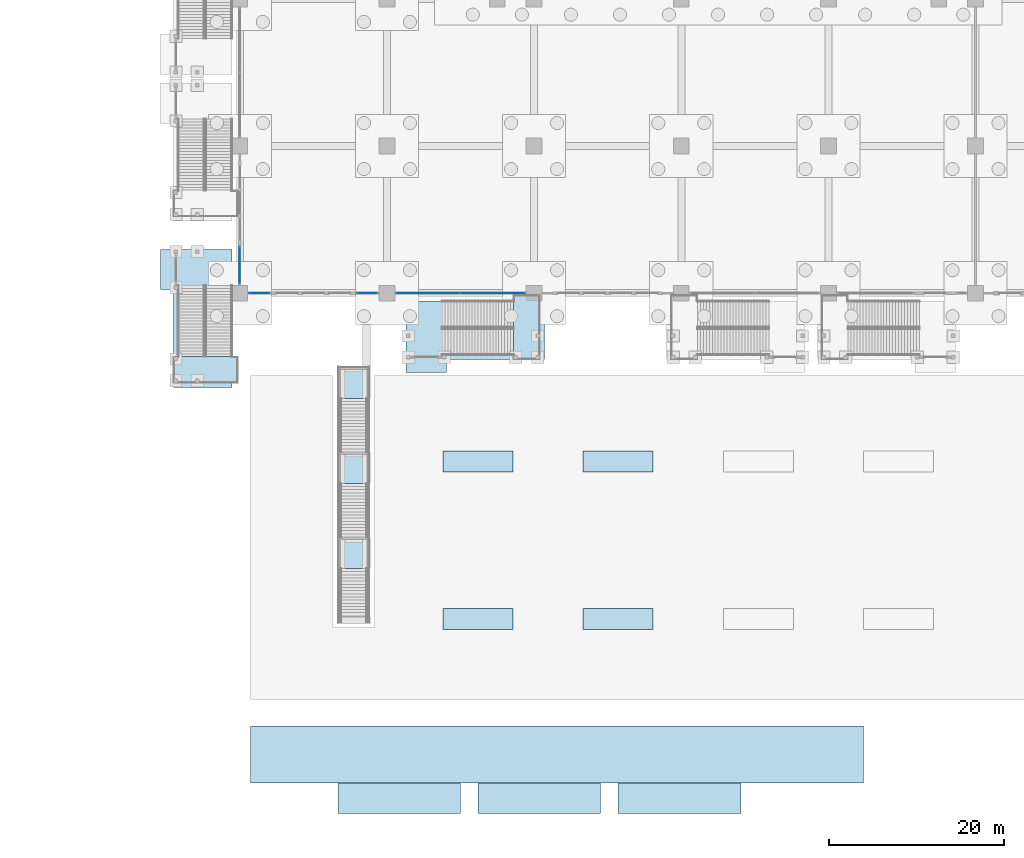
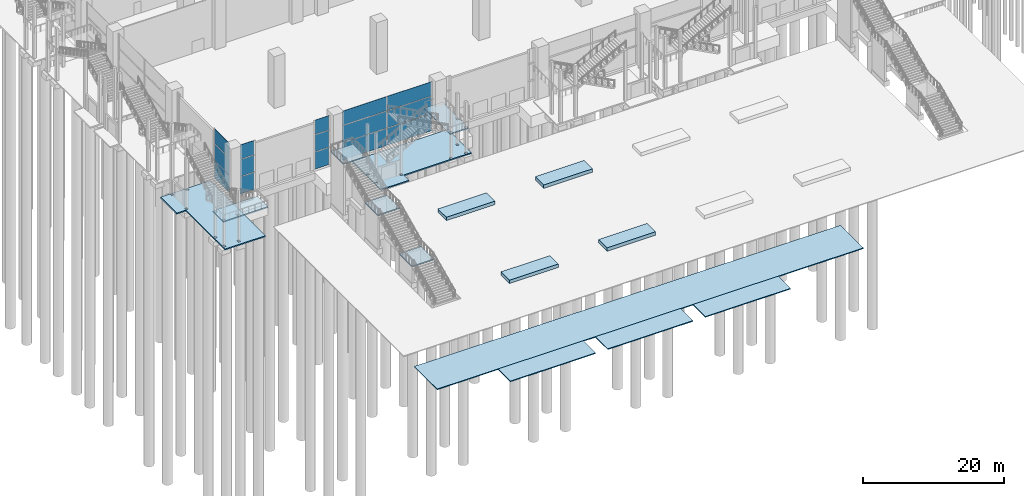
# One storey, part 30 of 72: 15 plates, 15 slabs, 7 elements without a shape of their own.
"""IFC4 building model written with IfcOpenShell, lengths in metres."""

from ifc_helpers import new_model, si_unit, direction, frame, origin, origin_2d, place, context, subcontext, project, spatial, polyline, rectangle, outline, extrude, material, layer, layer_set, type_object, element, aggregate, save


model = new_model("IFC4")

# Units and contexts
model_context = context("Model", 3, precision=1e-05, world=origin(), true_north=direction((0.0, 1.0)))
body_context = subcontext(model_context, "Body", "Model", "MODEL_VIEW")
ifc_project = project(units=[si_unit("LENGTHUNIT", "METRE"), si_unit("AREAUNIT", "SQUARE_METRE"), si_unit("VOLUMEUNIT", "CUBIC_METRE"), si_unit("PLANEANGLEUNIT", "RADIAN"), si_unit("MASSUNIT", "GRAM", prefix="KILO")], contexts=[model_context])

# Site, building, storey
site_placement = place(None, origin())
site = spatial("IfcSite", under=ifc_project, at=site_placement, CompositionType="ELEMENT")
building_placement = place(site_placement, origin())
building = spatial("IfcBuilding", under=site, at=building_placement, Name="Candeia Pilgrim Tower and Theatre", CompositionType="ELEMENT")
storey_placement = place(building_placement, origin())
storey = spatial("IfcBuildingStorey", under=building, at=storey_placement, Name="L00", CompositionType="ELEMENT", Elevation=0.0)

# Curtain wall, plates
ifc_material_1 = material(Name="Aluminium framed podium glazing", Category="aluminium")
curtain_wall_type = type_object("IfcCurtainWallType", Name="CW-P curtain wall", PredefinedType="NOTDEFINED", material=ifc_material_1)
curtain_wall_1_placement = place(storey_placement, origin())
curtain_wall_1 = element("IfcCurtainWall", 1, at=curtain_wall_1_placement, inside=storey, type_object=curtain_wall_type, Name="Curtain wall CW-P L00.000", PredefinedType="NOTDEFINED")
ifc_material_2 = material(Name="Laminated low-iron glass 2 x 8 mm", Category="glass")
ifc_layer_1 = layer(ifc_material_2, 0.035888671875)
ifc_layer_set_1 = layer_set([ifc_layer_1], Name="CW-P glass panel 36")
plate_type = type_object("IfcPlateType", Name="CW-P glass panel 36", PredefinedType="CURTAIN_PANEL", material=ifc_layer_set_1)
plate_1_placement = place(storey_placement, frame((58.800048828125, 67.60009765625, 0.0), z_axis=(0.0, 0.0, 1.0), x_axis=(0.0, 1.0, 0.0)))
plate_1 = element("IfcPlate", 2, at=plate_1_placement, type_object=plate_type, Name="CW-P panel 1.1", PredefinedType="CURTAIN_PANEL", context=body_context, shape_type="SweptSolid", body=[
    extrude(rectangle(XDim=4.219970703125, YDim=0.035888671875, at=origin_2d()), origin(), (0.0, 0.0, 1.0), 2.9599609375),
])
plate_2_placement = place(storey_placement, frame((58.800048828125, 67.60009765625, 3.0400390625), z_axis=(0.0, 0.0, 1.0), x_axis=(0.0, 1.0, 0.0)))
plate_2 = element("IfcPlate", 3, at=plate_2_placement, type_object=plate_type, Name="CW-P panel 1.2", PredefinedType="CURTAIN_PANEL", context=body_context, shape_type="SweptSolid", body=[
    extrude(rectangle(XDim=4.219970703125, YDim=0.035888671875, at=origin_2d()), origin(), (0.0, 0.0, 1.0), 2.919921875),
])
plate_3_placement = place(storey_placement, frame((58.800048828125, 67.60009765625, 6.0400390625), z_axis=(0.0, 0.0, 1.0), x_axis=(0.0, 1.0, 0.0)))
plate_3 = element("IfcPlate", 4, at=plate_3_placement, type_object=plate_type, Name="CW-P panel 1.3", PredefinedType="CURTAIN_PANEL", context=body_context, shape_type="SweptSolid", body=[
    extrude(rectangle(XDim=4.219970703125, YDim=0.035888671875, at=origin_2d()), origin(), (0.0, 0.0, 1.0), 2.4599609375),
])
aggregate(curtain_wall_1, [plate_1, plate_2, plate_3])

curtain_wall_2_placement = place(storey_placement, origin())
curtain_wall_2 = element("IfcCurtainWall", 5, at=curtain_wall_2_placement, inside=storey, type_object=curtain_wall_type, Name="Curtain wall CW-P L00.340", PredefinedType="NOTDEFINED")
plate_4_placement = place(storey_placement, frame((87.675048828125, 64.39990234375, 0.0), z_axis=(0.0, 0.0, 1.0), x_axis=(-1.0, 0.0, 0.0)))
plate_4 = element("IfcPlate", 6, at=plate_4_placement, type_object=plate_type, Name="CW-P panel 1.1", PredefinedType="CURTAIN_PANEL", context=body_context, shape_type="SweptSolid", body=[
    extrude(rectangle(XDim=7.27001953125, YDim=0.035888671875, at=origin_2d()), origin(), (0.0, 0.0, 1.0), 2.9599609375),
])
plate_5_placement = place(storey_placement, frame((87.675048828125, 64.39990234375, 3.0400390625), z_axis=(0.0, 0.0, 1.0), x_axis=(-1.0, 0.0, 0.0)))
plate_5 = element("IfcPlate", 7, at=plate_5_placement, type_object=plate_type, Name="CW-P panel 1.2", PredefinedType="CURTAIN_PANEL", context=body_context, shape_type="SweptSolid", body=[
    extrude(rectangle(XDim=7.27001953125, YDim=0.035888671875, at=origin_2d()), origin(), (0.0, 0.0, 1.0), 2.919921875),
])
plate_6_placement = place(storey_placement, frame((87.675048828125, 64.39990234375, 6.0400390625), z_axis=(0.0, 0.0, 1.0), x_axis=(-1.0, 0.0, 0.0)))
plate_6 = element("IfcPlate", 8, at=plate_6_placement, type_object=plate_type, Name="CW-P panel 1.3", PredefinedType="CURTAIN_PANEL", context=body_context, shape_type="SweptSolid", body=[
    extrude(rectangle(XDim=7.27001953125, YDim=0.035888671875, at=origin_2d()), origin(), (0.0, 0.0, 1.0), 2.4599609375),
])
plate_7_placement = place(storey_placement, frame((80.324951171875, 64.39990234375, 0.0), z_axis=(0.0, 0.0, 1.0), x_axis=(-1.0, 0.0, 0.0)))
plate_7 = element("IfcPlate", 9, at=plate_7_placement, type_object=plate_type, Name="CW-P panel 2.1", PredefinedType="CURTAIN_PANEL", context=body_context, shape_type="SweptSolid", body=[
    extrude(rectangle(XDim=7.27001953125, YDim=0.035888671875, at=origin_2d()), origin(), (0.0, 0.0, 1.0), 2.9599609375),
])
plate_8_placement = place(storey_placement, frame((80.324951171875, 64.39990234375, 3.0400390625), z_axis=(0.0, 0.0, 1.0), x_axis=(-1.0, 0.0, 0.0)))
plate_8 = element("IfcPlate", 10, at=plate_8_placement, type_object=plate_type, Name="CW-P panel 2.2", PredefinedType="CURTAIN_PANEL", context=body_context, shape_type="SweptSolid", body=[
    extrude(rectangle(XDim=7.27001953125, YDim=0.035888671875, at=origin_2d()), origin(), (0.0, 0.0, 1.0), 2.919921875),
])
plate_9_placement = place(storey_placement, frame((80.324951171875, 64.39990234375, 6.0400390625), z_axis=(0.0, 0.0, 1.0), x_axis=(-1.0, 0.0, 0.0)))
plate_9 = element("IfcPlate", 11, at=plate_9_placement, type_object=plate_type, Name="CW-P panel 2.3", PredefinedType="CURTAIN_PANEL", context=body_context, shape_type="SweptSolid", body=[
    extrude(rectangle(XDim=7.27001953125, YDim=0.035888671875, at=origin_2d()), origin(), (0.0, 0.0, 1.0), 2.4599609375),
])
aggregate(curtain_wall_2, [plate_4, plate_5, plate_6, plate_7, plate_8, plate_9])

curtain_wall_3_placement = place(storey_placement, origin())
curtain_wall_3 = element("IfcCurtainWall", 12, at=curtain_wall_3_placement, inside=storey, type_object=curtain_wall_type, Name="Curtain wall CW-P L00.350", PredefinedType="NOTDEFINED")
plate_10_placement = place(storey_placement, frame((73.35009765625, 64.39990234375, 0.0), z_axis=(0.0, 0.0, 1.0), x_axis=(-1.0, 0.0, 0.0)))
plate_10 = element("IfcPlate", 13, at=plate_10_placement, type_object=plate_type, Name="CW-P panel 1.1", PredefinedType="CURTAIN_PANEL", context=body_context, shape_type="SweptSolid", body=[
    extrude(rectangle(XDim=2.320068359375, YDim=0.035888671875, at=origin_2d()), origin(), (0.0, 0.0, 1.0), 2.9599609375),
])
plate_11_placement = place(storey_placement, frame((73.35009765625, 64.39990234375, 3.0400390625), z_axis=(0.0, 0.0, 1.0), x_axis=(-1.0, 0.0, 0.0)))
plate_11 = element("IfcPlate", 14, at=plate_11_placement, type_object=plate_type, Name="CW-P panel 1.2", PredefinedType="CURTAIN_PANEL", context=body_context, shape_type="SweptSolid", body=[
    extrude(rectangle(XDim=2.320068359375, YDim=0.035888671875, at=origin_2d()), origin(), (0.0, 0.0, 1.0), 2.919921875),
])
plate_12_placement = place(storey_placement, frame((73.35009765625, 64.39990234375, 6.0400390625), z_axis=(0.0, 0.0, 1.0), x_axis=(-1.0, 0.0, 0.0)))
plate_12 = element("IfcPlate", 15, at=plate_12_placement, type_object=plate_type, Name="CW-P panel 1.3", PredefinedType="CURTAIN_PANEL", context=body_context, shape_type="SweptSolid", body=[
    extrude(rectangle(XDim=2.320068359375, YDim=0.035888671875, at=origin_2d()), origin(), (0.0, 0.0, 1.0), 2.4599609375),
])
aggregate(curtain_wall_3, [plate_10, plate_11, plate_12])

curtain_wall_4_placement = place(storey_placement, origin())
curtain_wall_4 = element("IfcCurtainWall", 16, at=curtain_wall_4_placement, inside=storey, type_object=curtain_wall_type, Name="Curtain wall CW-P L00.351", PredefinedType="NOTDEFINED")
plate_13_placement = place(storey_placement, frame((61.050048828125, 64.39990234375, 0.0), z_axis=(0.0, 0.0, 1.0), x_axis=(-1.0, 0.0, 0.0)))
plate_13 = element("IfcPlate", 17, at=plate_13_placement, type_object=plate_type, Name="CW-P panel 1.1", PredefinedType="CURTAIN_PANEL", context=body_context, shape_type="SweptSolid", body=[
    extrude(rectangle(XDim=2.320068359375, YDim=0.035888671875, at=origin_2d()), origin(), (0.0, 0.0, 1.0), 2.9599609375),
])
plate_14_placement = place(storey_placement, frame((61.050048828125, 64.39990234375, 3.0400390625), z_axis=(0.0, 0.0, 1.0), x_axis=(-1.0, 0.0, 0.0)))
plate_14 = element("IfcPlate", 18, at=plate_14_placement, type_object=plate_type, Name="CW-P panel 1.2", PredefinedType="CURTAIN_PANEL", context=body_context, shape_type="SweptSolid", body=[
    extrude(rectangle(XDim=2.320068359375, YDim=0.035888671875, at=origin_2d()), origin(), (0.0, 0.0, 1.0), 2.919921875),
])
plate_15_placement = place(storey_placement, frame((61.050048828125, 64.39990234375, 6.0400390625), z_axis=(0.0, 0.0, 1.0), x_axis=(-1.0, 0.0, 0.0)))
plate_15 = element("IfcPlate", 19, at=plate_15_placement, type_object=plate_type, Name="CW-P panel 1.3", PredefinedType="CURTAIN_PANEL", context=body_context, shape_type="SweptSolid", body=[
    extrude(rectangle(XDim=2.320068359375, YDim=0.035888671875, at=origin_2d()), origin(), (0.0, 0.0, 1.0), 2.4599609375),
])
aggregate(curtain_wall_4, [plate_13, plate_14, plate_15])

# Stair, slabs
ifc_material_3 = material(Name="Concrete C35/45", Category="concrete")
stair_type_1 = type_object("IfcStairType", Name="Garden stair", PredefinedType="STRAIGHT_RUN_STAIR", material=ifc_material_3)
stair_1_placement = place(storey_placement, origin())
stair_1 = element("IfcStair", 20, at=stair_1_placement, inside=storey, type_object=stair_type_1, Name="Garden stair W", PredefinedType="STRAIGHT_RUN_STAIR")
ifc_layer_2 = layer(ifc_material_3, 0.199951171875)
ifc_layer_set_2 = layer_set([ifc_layer_2], Name="Garden stair landing 200")
slab_type_1 = type_object("IfcSlabType", Name="Garden stair landing 200", PredefinedType="LANDING", material=ifc_layer_set_2)
slab_1_placement = place(storey_placement, frame((0.0, 0.0, 2.800048828125)))
slab_1 = element("IfcSlab", 21, at=slab_1_placement, type_object=slab_type_1, Name="GS1 landing 1", PredefinedType="LANDING", context=body_context, shape_type="SweptSolid", body=[
    extrude(outline(polyline([(70.0, 32.9599609375), (73.60009765625, 32.9599609375), (73.60009765625, 36.56005859375), (70.0, 36.56005859375), (70.0, 32.9599609375)])), origin(), (0.0, 0.0, 1.0), 0.199951171875),
])
slab_2_placement = place(storey_placement, frame((0.0, 0.0, 5.800048828125)))
slab_2 = element("IfcSlab", 22, at=slab_2_placement, type_object=slab_type_1, Name="GS1 landing 2", PredefinedType="LANDING", context=body_context, shape_type="SweptSolid", body=[
    extrude(outline(polyline([(70.0, 42.679931640625), (73.60009765625, 42.679931640625), (73.60009765625, 46.280029296875), (70.0, 46.280029296875), (70.0, 42.679931640625)])), origin(), (0.0, 0.0, 1.0), 0.199951171875),
])
slab_3_placement = place(storey_placement, frame((0.0, 0.0, 8.800048828125)))
slab_3 = element("IfcSlab", 23, at=slab_3_placement, type_object=slab_type_1, Name="GS1 landing 3", PredefinedType="LANDING", context=body_context, shape_type="SweptSolid", body=[
    extrude(outline(polyline([(70.0, 52.39990234375), (73.60009765625, 52.39990234375), (73.60009765625, 56.0), (70.0, 56.0), (70.0, 52.39990234375)])), origin(), (0.0, 0.0, 1.0), 0.199951171875),
])
aggregate(stair_1, [slab_1, slab_2, slab_3])

# Slabs
ifc_layer_3 = layer(ifc_material_3, 0.14990234375)
ifc_layer_set_3 = layer_set([ifc_layer_3], Name="Planter")
slab_type_2 = type_object("IfcSlabType", Name="Planter", PredefinedType="FLOOR", material=ifc_layer_set_3)
slab_4_placement = place(storey_placement, origin())
element("IfcSlab", 24, at=slab_4_placement, inside=storey, type_object=slab_type_2, Name="PLANTER 1", PredefinedType="FLOOR", context=body_context, shape_type="SweptSolid", body=[
    extrude(outline(polyline([(82.0, 26.0), (90.0, 26.0), (90.0, 28.39990234375), (82.0, 28.39990234375), (82.0, 26.0)])), origin(), (0.0, 0.0, 1.0), 0.60009765625),
])
slab_5_placement = place(storey_placement, origin())
element("IfcSlab", 25, at=slab_5_placement, inside=storey, type_object=slab_type_2, Name="PLANTER 2", PredefinedType="FLOOR", context=body_context, shape_type="SweptSolid", body=[
    extrude(outline(polyline([(98.0, 26.0), (106.0, 26.0), (106.0, 28.39990234375), (98.0, 28.39990234375), (98.0, 26.0)])), origin(), (0.0, 0.0, 1.0), 0.60009765625),
])
slab_6_placement = place(storey_placement, origin())
element("IfcSlab", 26, at=slab_6_placement, inside=storey, type_object=slab_type_2, Name="PLANTER 5", PredefinedType="FLOOR", context=body_context, shape_type="SweptSolid", body=[
    extrude(outline(polyline([(82.0, 44.0), (90.0, 44.0), (90.0, 46.39990234375), (82.0, 46.39990234375), (82.0, 44.0)])), origin(), (0.0, 0.0, 1.0), 0.60009765625),
])
slab_7_placement = place(storey_placement, origin())
element("IfcSlab", 27, at=slab_7_placement, inside=storey, type_object=slab_type_2, Name="PLANTER 6", PredefinedType="FLOOR", context=body_context, shape_type="SweptSolid", body=[
    extrude(outline(polyline([(98.0, 44.0), (106.0, 44.0), (106.0, 46.39990234375), (98.0, 46.39990234375), (98.0, 44.0)])), origin(), (0.0, 0.0, 1.0), 0.60009765625),
])

# Stair, slab
ifc_material_4 = material(Name="Concrete C40/50", Category="concrete")
stair_type_2 = type_object("IfcStairType", Name="ST-EXT external escape stair", PredefinedType="HALF_TURN_STAIR", material=ifc_material_4)
stair_2_placement = place(storey_placement, origin())
stair_2 = element("IfcStair", 28, at=stair_2_placement, inside=storey, type_object=stair_type_2, Name="L00 External escape stair ES8", PredefinedType="HALF_TURN_STAIR")
ifc_layer_4 = layer(ifc_material_4, 0.199951171875)
ifc_layer_set_4 = layer_set([ifc_layer_4], Name="SL-EXT stair landing")
slab_type_3 = type_object("IfcSlabType", Name="SL-EXT stair landing", PredefinedType="LANDING", material=ifc_layer_set_4)
slab_8_placement = place(storey_placement, frame((0.0, 0.0, 4.300048828125)))
slab_8 = element("IfcSlab", 29, at=slab_8_placement, type_object=slab_type_3, Name="L00 External escape stair ES8 landing", PredefinedType="LANDING", context=body_context, shape_type="SweptSolid", body=[
    extrude(outline(polyline([(90.0400390625, 64.199951171875), (93.06005859375, 64.199951171875), (93.06005859375, 56.85009765625), (90.0400390625, 56.85009765625), (90.0400390625, 64.199951171875)]), holes=[polyline([(90.110107421875, 56.89990234375), (90.510009765625, 56.89990234375), (90.510009765625, 57.300048828125), (90.110107421875, 57.300048828125), (90.110107421875, 56.89990234375)]), polyline([(92.610107421875, 56.89990234375), (93.010009765625, 56.89990234375), (93.010009765625, 57.300048828125), (92.610107421875, 57.300048828125), (92.610107421875, 56.89990234375)]), polyline([(92.610107421875, 59.324951171875), (93.010009765625, 59.324951171875), (93.010009765625, 59.72509765625), (92.610107421875, 59.72509765625), (92.610107421875, 59.324951171875)])]), origin(), (0.0, 0.0, 1.0), 0.199951171875),
])
aggregate(stair_2, [slab_8])

stair_3_placement = place(storey_placement, origin())
stair_3 = element("IfcStair", 30, at=stair_3_placement, inside=storey, type_object=stair_type_2, Name="L00 External escape stair ES10", PredefinedType="HALF_TURN_STAIR")
slab_9_placement = place(storey_placement, frame((0.0, 0.0, 4.300048828125)))
slab_9 = element("IfcSlab", 31, at=slab_9_placement, type_object=slab_type_3, Name="L00 External escape stair ES10 landing", PredefinedType="LANDING", context=body_context, shape_type="SweptSolid", body=[
    extrude(outline(polyline([(58.60009765625, 57.159912109375), (58.60009765625, 54.139892578125), (51.25, 54.139892578125), (51.25, 57.159912109375), (58.60009765625, 57.159912109375)]), holes=[polyline([(51.300048828125, 56.68994140625), (51.699951171875, 56.68994140625), (51.699951171875, 57.090087890625), (51.300048828125, 57.090087890625), (51.300048828125, 56.68994140625)]), polyline([(51.300048828125, 54.18994140625), (51.699951171875, 54.18994140625), (51.699951171875, 54.590087890625), (51.300048828125, 54.590087890625), (51.300048828125, 54.18994140625)]), polyline([(53.72509765625, 54.18994140625), (54.125, 54.18994140625), (54.125, 54.590087890625), (53.72509765625, 54.590087890625), (53.72509765625, 54.18994140625)])]), origin(), (0.0, 0.0, 1.0), 0.199951171875),
])
aggregate(stair_3, [slab_9])

# Slabs
ifc_layer_5 = layer(ifc_material_3, 0.14990234375)
ifc_layer_set_5 = layer_set([ifc_layer_5], Name="Site paving slab 150")
slab_type_4 = type_object("IfcSlabType", Name="Site paving slab 150", PredefinedType="USERDEFINED", material=ifc_layer_set_5)
slab_10_placement = place(storey_placement, frame((0.0, 0.0, -0.14990234375)))
element("IfcSlab", 32, at=slab_10_placement, inside=storey, type_object=slab_type_4, Name="PAVING coach drive aisle", ObjectType="PAVING", PredefinedType="USERDEFINED", context=body_context, shape_type="SweptSolid", body=[
    extrude(outline(polyline([(130.0, 8.5), (130.0, 15.0), (60.0, 15.0), (60.0, 8.5), (130.0, 8.5)])), origin(), (0.0, 0.0, 1.0), 0.14990234375),
])
slab_11_placement = place(storey_placement, frame((0.0, 0.0, -0.14990234375)))
element("IfcSlab", 33, at=slab_11_placement, inside=storey, type_object=slab_type_4, Name="PAVING coach bay 1", ObjectType="PAVING", PredefinedType="USERDEFINED", context=body_context, shape_type="SweptSolid", body=[
    extrude(outline(polyline([(84.0, 5.0), (84.0, 8.5), (70.0, 8.5), (70.0, 5.0), (84.0, 5.0)])), origin(), (0.0, 0.0, 1.0), 0.14990234375),
])
slab_12_placement = place(storey_placement, frame((0.0, 0.0, -0.14990234375)))
element("IfcSlab", 34, at=slab_12_placement, inside=storey, type_object=slab_type_4, Name="PAVING coach bay 2", ObjectType="PAVING", PredefinedType="USERDEFINED", context=body_context, shape_type="SweptSolid", body=[
    extrude(outline(polyline([(100.0, 5.0), (100.0, 8.5), (86.0, 8.5), (86.0, 5.0), (100.0, 5.0)])), origin(), (0.0, 0.0, 1.0), 0.14990234375),
])
slab_13_placement = place(storey_placement, frame((0.0, 0.0, -0.14990234375)))
element("IfcSlab", 35, at=slab_13_placement, inside=storey, type_object=slab_type_4, Name="PAVING coach bay 3", ObjectType="PAVING", PredefinedType="USERDEFINED", context=body_context, shape_type="SweptSolid", body=[
    extrude(outline(polyline([(116.0, 5.0), (116.0, 8.5), (102.0, 8.5), (102.0, 5.0), (116.0, 5.0)])), origin(), (0.0, 0.0, 1.0), 0.14990234375),
])
ifc_layer_6 = layer(ifc_material_3, 0.199951171875)
ifc_layer_set_6 = layer_set([ifc_layer_6], Name="Stair ground slab 200")
slab_type_5 = type_object("IfcSlabType", Name="Stair ground slab 200", PredefinedType="BASESLAB", material=ifc_layer_set_6)
slab_14_placement = place(storey_placement, frame((0.0, 0.0, -0.199951171875)))
element("IfcSlab", 36, at=slab_14_placement, inside=storey, type_object=slab_type_5, Name="External escape stair ES8 ground slab", PredefinedType="BASESLAB", context=body_context, shape_type="SweptSolid", body=[
    extrude(outline(polyline([(93.56005859375, 63.5), (93.56005859375, 56.85009765625), (82.39990234375, 56.85009765625), (82.39990234375, 55.35009765625), (77.800048828125, 55.35009765625), (77.800048828125, 63.5), (81.89990234375, 63.5), (82.39990234375, 63.5), (93.56005859375, 63.5)]), holes=[polyline([(78.25, 56.89990234375), (78.25, 57.300048828125), (77.85009765625, 57.300048828125), (77.85009765625, 56.89990234375), (78.25, 56.89990234375)]), polyline([(81.949951171875, 56.89990234375), (82.35009765625, 56.89990234375), (82.35009765625, 57.300048828125), (81.949951171875, 57.300048828125), (81.949951171875, 56.89990234375)]), polyline([(90.110107421875, 56.89990234375), (90.510009765625, 56.89990234375), (90.510009765625, 57.300048828125), (90.110107421875, 57.300048828125), (90.110107421875, 56.89990234375)]), polyline([(93.010009765625, 56.89990234375), (93.010009765625, 57.300048828125), (92.610107421875, 57.300048828125), (92.610107421875, 56.89990234375), (93.010009765625, 56.89990234375)]), polyline([(77.85009765625, 59.324951171875), (78.25, 59.324951171875), (78.25, 59.72509765625), (77.85009765625, 59.72509765625), (77.85009765625, 59.324951171875)]), polyline([(92.610107421875, 59.324951171875), (93.010009765625, 59.324951171875), (93.010009765625, 59.72509765625), (92.610107421875, 59.72509765625), (92.610107421875, 59.324951171875)])]), origin(), (0.0, 0.0, 1.0), 0.199951171875),
])
slab_15_placement = place(storey_placement, frame((0.0, 0.0, -0.199951171875)))
element("IfcSlab", 37, at=slab_15_placement, inside=storey, type_object=slab_type_5, Name="External escape stair ES10 ground slab", PredefinedType="BASESLAB", context=body_context, shape_type="SweptSolid", body=[
    extrude(outline(polyline([(51.25, 53.639892578125), (51.25, 64.800048828125), (49.75, 64.800048828125), (49.75, 69.39990234375), (57.89990234375, 69.39990234375), (57.89990234375, 65.300048828125), (57.89990234375, 64.800048828125), (57.89990234375, 53.639892578125), (51.25, 53.639892578125)]), holes=[polyline([(51.699951171875, 54.18994140625), (51.699951171875, 54.590087890625), (51.300048828125, 54.590087890625), (51.300048828125, 54.18994140625), (51.699951171875, 54.18994140625)]), polyline([(53.72509765625, 54.18994140625), (54.125, 54.18994140625), (54.125, 54.590087890625), (53.72509765625, 54.590087890625), (53.72509765625, 54.18994140625)]), polyline([(51.300048828125, 56.68994140625), (51.699951171875, 56.68994140625), (51.699951171875, 57.090087890625), (51.300048828125, 57.090087890625), (51.300048828125, 56.68994140625)]), polyline([(51.699951171875, 64.85009765625), (51.699951171875, 65.25), (51.300048828125, 65.25), (51.300048828125, 64.85009765625), (51.699951171875, 64.85009765625)]), polyline([(51.300048828125, 68.949951171875), (51.699951171875, 68.949951171875), (51.699951171875, 69.35009765625), (51.300048828125, 69.35009765625), (51.300048828125, 68.949951171875)]), polyline([(53.72509765625, 68.949951171875), (54.125, 68.949951171875), (54.125, 69.35009765625), (53.72509765625, 69.35009765625), (53.72509765625, 68.949951171875)])]), origin(), (0.0, 0.0, 1.0), 0.199951171875),
])

save(model, "model.ifc")
